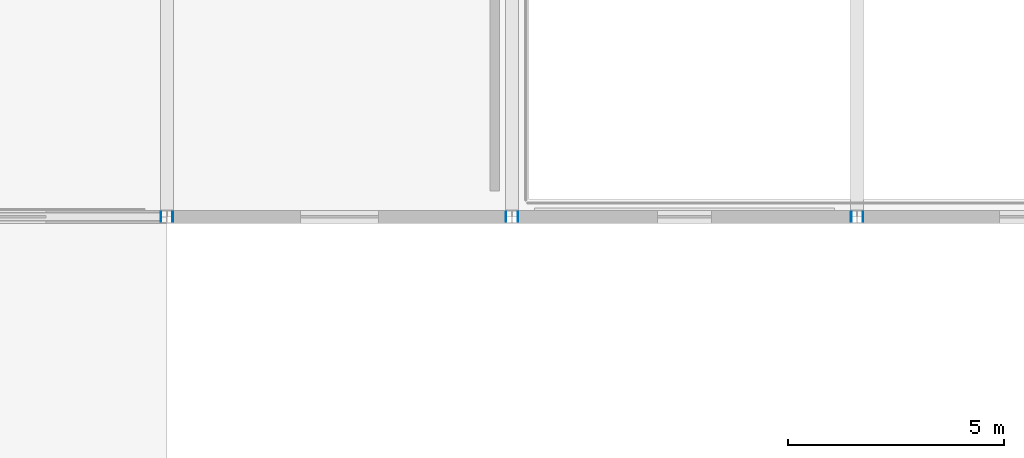
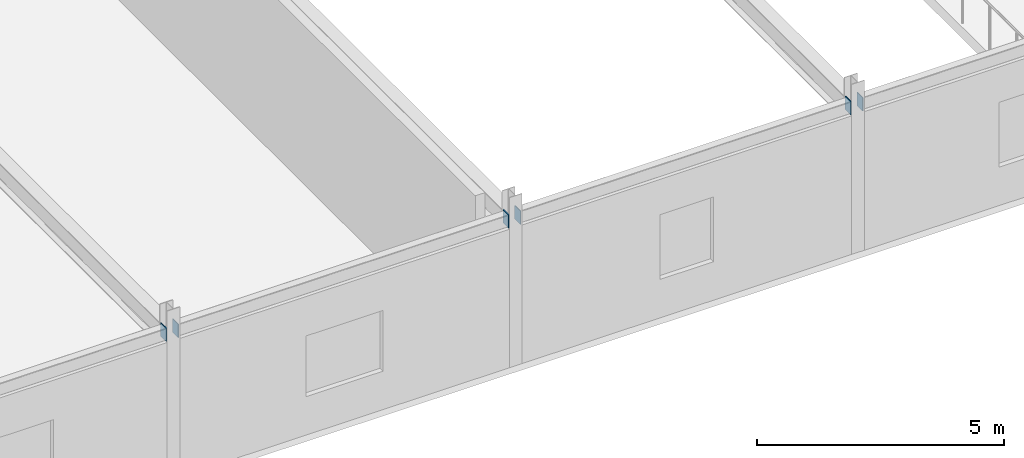
# One storey, part 55 of 88: 6 plates.
"""IFC4 building model written with IfcOpenShell, lengths in metres."""

from ifc_helpers import new_model, si_unit, direction, frame, origin, origin_2d, place, context, subcontext, project, spatial, rectangle, extrude, material, layer, layer_set, type_object, element, save


model = new_model("IFC4")

# Units and contexts
model_context = context("Model", 3, precision=1e-05, world=origin(), true_north=direction((0.0, 1.0)))
body_context = subcontext(model_context, "Body", "Model", "MODEL_VIEW")
ifc_project = project(units=[si_unit("LENGTHUNIT", "METRE"), si_unit("AREAUNIT", "SQUARE_METRE"), si_unit("VOLUMEUNIT", "CUBIC_METRE"), si_unit("PLANEANGLEUNIT", "RADIAN"), si_unit("MASSUNIT", "GRAM", prefix="KILO")], contexts=[model_context])

# Site, building, storey
site_placement = place(None, origin())
site = spatial("IfcSite", under=ifc_project, at=site_placement, CompositionType="ELEMENT")
building_placement = place(site_placement, origin())
building = spatial("IfcBuilding", under=site, at=building_placement, Name="Zhaolan Boulevard Law Courts", CompositionType="ELEMENT")
storey_placement = place(building_placement, frame((0.0, 0.0, 16.199951171875)))
storey = spatial("IfcBuildingStorey", under=building, at=storey_placement, Name="L03", CompositionType="ELEMENT", Elevation=16.199951171875)

# Plates
ifc_material = material(Name="Structural steel Q355B", Category="steel")
ifc_layer = layer(ifc_material, 0.02001953125)
ifc_layer_set = layer_set([ifc_layer])
plate_type = type_object("IfcPlateType", Name="END CAP PLATE 20", PredefinedType="SHEET", material=ifc_layer_set)
for number, where, z_axis, x_axis, name in (
    (1, (59.862060546875, 62.0, 3.423095703125), (0.0, 0.0, 1.0), (1.0, 0.0, 0.0), "Hollow Section End-Cap Plate ECP-0908"),
    (2, (60.137939453125, 62.0, 3.423095703125), (0.0, 0.0, 1.0), (1.0, 0.0, 0.0), "Hollow Section End-Cap Plate ECP-0909"),
    (3, (67.862060546875, 62.0, 3.423095703125), (0.0, 0.0, 1.0), (1.0, 0.0, 0.0), "Hollow Section End-Cap Plate ECP-0910"),
    (4, (68.137939453125, 62.0, 3.423095703125), (0.0, 0.0, 1.0), (1.0, 0.0, 0.0), "Hollow Section End-Cap Plate ECP-0911"),
    (5, (75.862060546875, 62.0, 3.423095703125), (0.0, 0.0, 1.0), (1.0, 0.0, 0.0), "Hollow Section End-Cap Plate ECP-0912"),
    (6, (76.137939453125, 62.0, 3.423095703125), (0.0, 0.0, 1.0), (1.0, 0.0, 0.0), "Hollow Section End-Cap Plate ECP-0913"),
):
    element("IfcPlate", number, at=place(storey_placement, frame(where, z_axis=z_axis, x_axis=x_axis)), inside=storey, type_object=plate_type, Name=name, PredefinedType="SHEET", context=body_context, shape_type="SweptSolid", body=[
        extrude(rectangle(XDim=0.02001953125, YDim=0.22998046875, at=origin_2d()), origin(), (0.0, 0.0, 1.0), 0.330078125),
    ])

save(model, "model.ifc")
